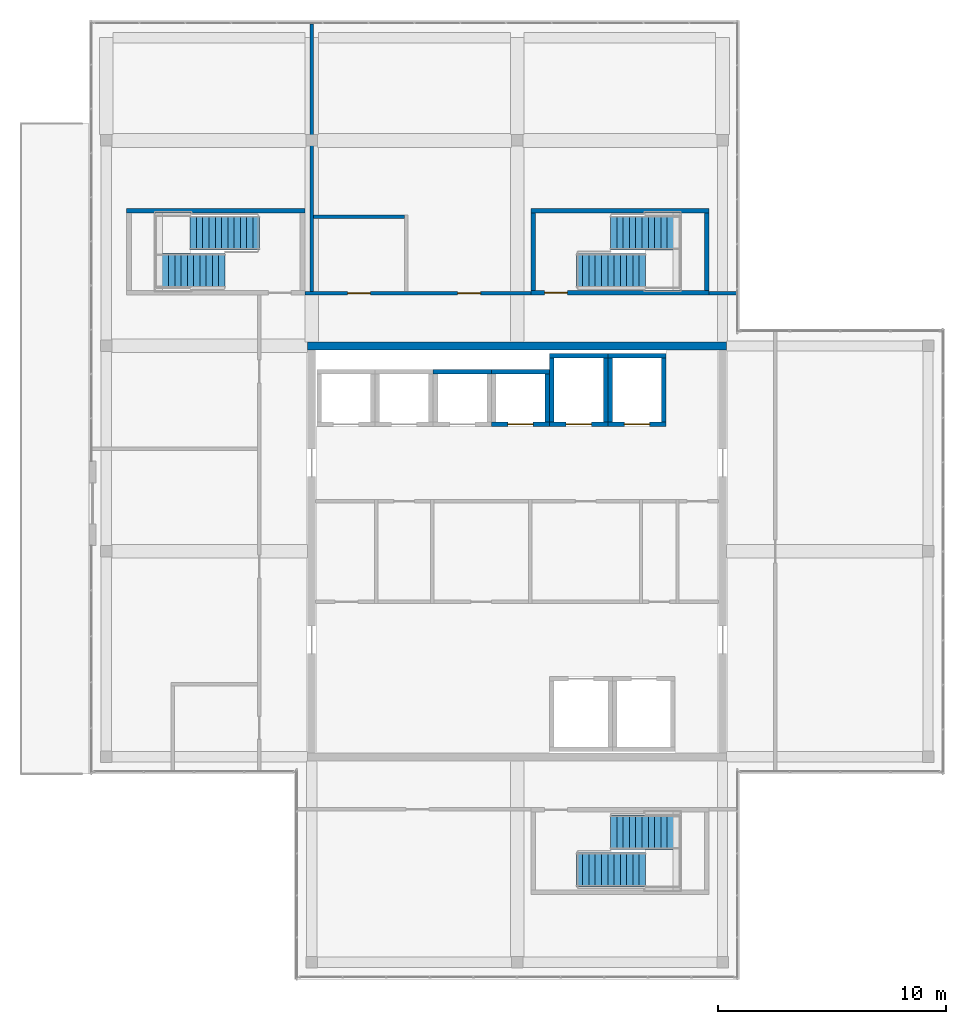
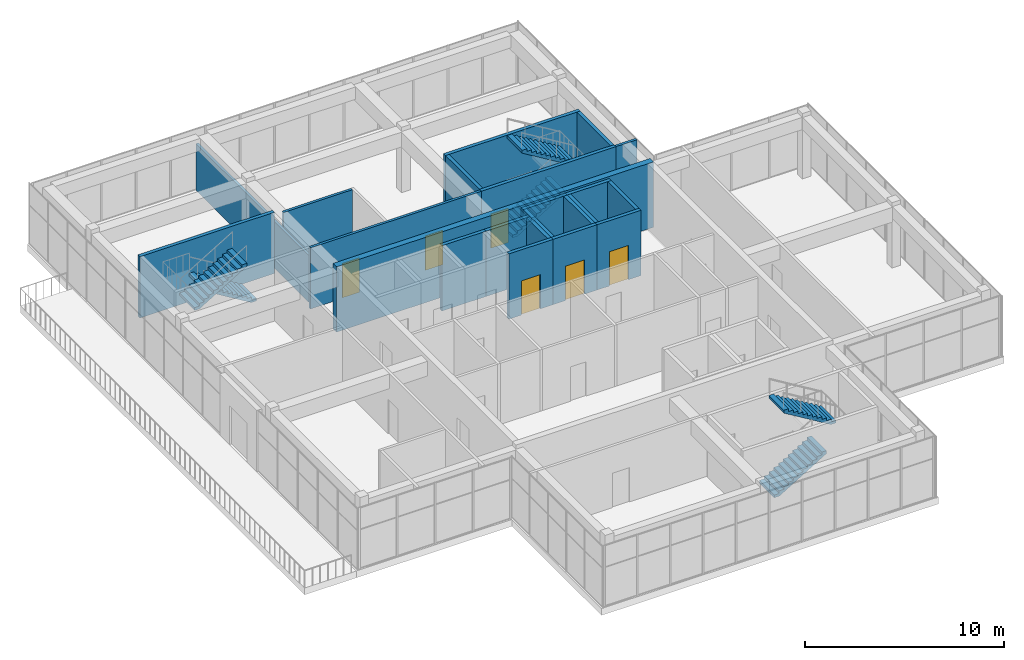
# One storey, part 32 of 34: 22 walls, 6 doors, 6 stair flights, 6 openings, 3 elements without a shape of their own.
"""IFC4 building model written with IfcOpenShell, lengths in metres."""

from ifc_helpers import new_model, si_unit, direction, frame, frame_2d, origin, place, context, subcontext, project, spatial, polyline, rectangle, outline, extrude, material, layer, layer_set, type_object, element, fill, aggregate, save


model = new_model("IFC4")

# Units and contexts
model_context = context("Model", 3, precision=1e-05, world=origin(), true_north=direction((0.0, 1.0)))
body_context = subcontext(model_context, "Body", "Model", "MODEL_VIEW")
ifc_project = project(units=[si_unit("LENGTHUNIT", "METRE"), si_unit("AREAUNIT", "SQUARE_METRE"), si_unit("VOLUMEUNIT", "CUBIC_METRE"), si_unit("PLANEANGLEUNIT", "RADIAN"), si_unit("MASSUNIT", "GRAM", prefix="KILO")], contexts=[model_context])

# Site, building, storey
site_placement = place(None, origin())
site = spatial("IfcSite", under=ifc_project, at=site_placement, CompositionType="ELEMENT")
building_placement = place(site_placement, origin())
building = spatial("IfcBuilding", under=site, at=building_placement, Name="Tuart Plaza Theatre", CompositionType="ELEMENT")
storey_placement = place(building_placement, frame((0.0, 0.0, 53.5)))
storey = spatial("IfcBuildingStorey", under=building, at=storey_placement, Name="L13", CompositionType="ELEMENT", Elevation=53.5)

# Wall, openings, doors
ifc_material_1 = material(Name="Masonry block", Category="masonry")
ifc_layer_1 = layer(ifc_material_1, 0.14990234375)
ifc_layer_set_1 = layer_set([ifc_layer_1], Name="PARTITION BLK150 MASONRYB FRL 120/-/-")
wall_type_1 = type_object("IfcWallType", Name="PARTITION BLK150 MASONRYB FRL 120/-/-", PredefinedType="PARTITIONING", material=ifc_layer_set_1)
wall_1_placement = place(storey_placement, frame((122.699951171875, 85.300048828125, 0.0), z_axis=(0.0, 0.0, 1.0), x_axis=(1.0, 0.0, 0.0)))
wall_1 = element("IfcWall", 1, at=wall_1_placement, inside=storey, type_object=wall_type_1, Name="P713", PredefinedType="PARTITIONING", context=body_context, shape_type="SweptSolid", body=[
    extrude(rectangle(XDim=9.900146484375, YDim=0.14990234375, at=frame_2d((4.9501953125, 0.0))), origin(), (0.0, 0.0, 1.0), 3.75),
])
opening_1_placement = place(wall_1_placement, frame((1.875, 0.0, 0.0)))
opening_1 = element("IfcOpeningElement", 2, at=opening_1_placement, cuts=wall_1, Name="Opening L13-024", PredefinedType="OPENING", context=body_context, shape_type="SweptSolid", body=[
    extrude(rectangle(XDim=1.0, YDim=2.10009765625, at=frame_2d((0.5, 1.050048828125))), frame((0.0, 0.0849609375, 0.0), z_axis=(0.0, -1.0, 0.0), x_axis=(1.0, 0.0, 0.0)), (0.0, 0.0, 1.0), 0.169921875),
])
opening_2_placement = place(wall_1_placement, frame((6.697509765625, 0.0, 0.0)))
opening_2 = element("IfcOpeningElement", 3, at=opening_2_placement, cuts=wall_1, Name="Opening L13-029", PredefinedType="OPENING", context=body_context, shape_type="SweptSolid", body=[
    extrude(rectangle(XDim=1.0, YDim=2.10009765625, at=frame_2d((0.5, 1.050048828125))), frame((0.0, 0.0849609375, 0.0), z_axis=(0.0, -1.0, 0.0), x_axis=(1.0, 0.0, 0.0)), (0.0, 0.0, 1.0), 0.169921875),
])
ifc_material_2 = material(Name="Timber", Category="wood")
door_type_1 = type_object("IfcDoorType", Name="DOOR 1000x2100 timber single swing FRL -/60/30", OperationType="SINGLE_SWING_LEFT", PredefinedType="DOOR", material=ifc_material_2)
door_1_placement = place(opening_1_placement, origin())
door_1 = element("IfcDoor", 4, at=door_1_placement, inside=storey, type_object=door_type_1, Name="L13-024", OperationType="SINGLE_SWING_LEFT", OverallHeight=2.10009765625, OverallWidth=1.0, PredefinedType="DOOR", context=body_context, shape_type="SweptSolid", body=[
    extrude(rectangle(XDim=1.0, YDim=2.10009765625, at=frame_2d((0.5, 1.050048828125))), frame((0.0, 0.02490234375, 0.0), z_axis=(0.0, -1.0, 0.0), x_axis=(1.0, 0.0, 0.0)), (0.0, 0.0, 1.0), 0.050048828125),
])
fill(opening_1, door_1)
door_2_placement = place(opening_2_placement, origin())
door_2 = element("IfcDoor", 5, at=door_2_placement, inside=storey, type_object=door_type_1, Name="L13-029", OperationType="SINGLE_SWING_LEFT", OverallHeight=2.10009765625, OverallWidth=1.0, PredefinedType="DOOR", context=body_context, shape_type="SweptSolid", body=[
    extrude(rectangle(XDim=1.0, YDim=2.10009765625, at=frame_2d((0.5, 1.050048828125))), frame((0.0, 0.02490234375, 0.0), z_axis=(0.0, -1.0, 0.0), x_axis=(1.0, 0.0, 0.0)), (0.0, 0.0, 1.0), 0.050048828125),
])
fill(opening_2, door_2)

# Walls
wall_2_placement = place(storey_placement, frame((140.39990234375, 85.300048828125, 0.0), z_axis=(0.0, 0.0, 1.0), x_axis=(1.0, 0.0, 0.0)))
element("IfcWall", 6, at=wall_2_placement, inside=storey, type_object=wall_type_1, Name="P714", PredefinedType="PARTITIONING", context=body_context, shape_type="SweptSolid", body=[
    extrude(rectangle(XDim=1.2001953125, YDim=0.14990234375, at=frame_2d((0.60009765625, 0.0))), origin(), (0.0, 0.0, 1.0), 3.75),
])
wall_3_placement = place(storey_placement, frame((123.0, 85.3740234375, 0.0), z_axis=(0.0, 0.0, 1.0), x_axis=(0.0, 1.0, 0.0)))
element("IfcWall", 7, at=wall_3_placement, inside=storey, type_object=wall_type_1, Name="P715", PredefinedType="PARTITIONING", context=body_context, shape_type="SweptSolid", body=[
    extrude(rectangle(XDim=11.72607421875, YDim=0.14990234375, at=frame_2d((5.863037109375, 0.0))), origin(), (0.0, 0.0, 1.0), 2.85009765625),
])
wall_4_placement = place(storey_placement, frame((123.074951171875, 88.64990234375, 0.0), z_axis=(0.0, 0.0, 1.0), x_axis=(1.0, 0.0, 0.0)))
element("IfcWall", 8, at=wall_4_placement, inside=storey, type_object=wall_type_1, Name="P719", PredefinedType="PARTITIONING", context=body_context, shape_type="SweptSolid", body=[
    extrude(rectangle(XDim=4.0, YDim=0.14990234375, at=frame_2d((2.0, 0.0))), origin(), (0.0, 0.0, 1.0), 3.75),
])
ifc_material_3 = material(Name="Concrete N40 (40 MPa)", Category="concrete")
ifc_layer_2 = layer(ifc_material_3, 0.199951171875)
ifc_layer_set_2 = layer_set([ifc_layer_2], Name="SHEAR WALL RC200 FRL 120/120/120")
wall_type_2 = type_object("IfcWallType", Name="SHEAR WALL RC200 FRL 120/120/120", PredefinedType="SHEAR", material=ifc_layer_set_2)
wall_5_placement = place(storey_placement, frame((130.875, 81.875, 0.0), z_axis=(0.0, 0.0, 1.0), x_axis=(-1.0, 0.0, 0.0)))
element("IfcWall", 9, at=wall_5_placement, inside=storey, type_object=wall_type_2, Name="W924", PredefinedType="SHEAR", context=body_context, shape_type="SweptSolid", body=[
    extrude(rectangle(XDim=2.550048828125, YDim=0.199951171875, at=frame_2d((1.27490234375, 0.0))), origin(), (0.0, 0.0, 1.0), 4.0),
])

# Wall, opening, door
wall_6_placement = place(storey_placement, frame((130.875, 79.574951171875, 0.0), z_axis=(0.0, 0.0, 1.0), x_axis=(1.0, 0.0, 0.0)))
wall_6 = element("IfcWall", 10, at=wall_6_placement, inside=storey, type_object=wall_type_2, Name="W994", PredefinedType="SHEAR", context=body_context, shape_type="SweptSolid", body=[
    extrude(rectangle(XDim=2.550048828125, YDim=0.199951171875, at=frame_2d((1.27490234375, 0.0))), origin(), (0.0, 0.0, 1.0), 4.0),
])
opening_3_placement = place(wall_6_placement, frame((0.72509765625, 0.0, 0.0)))
opening_3 = element("IfcOpeningElement", 11, at=opening_3_placement, cuts=wall_6, Name="Opening L13-005", PredefinedType="OPENING", context=body_context, shape_type="SweptSolid", body=[
    extrude(rectangle(XDim=1.10009765625, YDim=2.10009765625, at=frame_2d((0.550048828125, 1.050048828125))), frame((0.0, 0.10986328125, 0.0), z_axis=(0.0, -1.0, 0.0), x_axis=(1.0, 0.0, 0.0)), (0.0, 0.0, 1.0), 0.219970703125),
])
ifc_material_4 = material(Name="Steel Grade 300", Category="steel")
door_type_2 = type_object("IfcDoorType", Name="LANDING DOOR 1100x2100 steel sliding FRL -/120/30", OperationType="SLIDING_TO_LEFT", PredefinedType="DOOR", material=ifc_material_4)
door_3_placement = place(opening_3_placement, origin())
door_3 = element("IfcDoor", 12, at=door_3_placement, inside=storey, type_object=door_type_2, Name="L13-005", OperationType="SLIDING_TO_LEFT", OverallHeight=2.10009765625, OverallWidth=1.10009765625, PredefinedType="DOOR", context=body_context, shape_type="SweptSolid", body=[
    extrude(rectangle(XDim=1.10009765625, YDim=2.10009765625, at=frame_2d((0.550048828125, 1.050048828125))), frame((0.0, 0.02490234375, 0.0), z_axis=(0.0, -1.0, 0.0), x_axis=(1.0, 0.0, 0.0)), (0.0, 0.0, 1.0), 0.050048828125),
])
fill(opening_3, door_3)

# Walls
wall_7_placement = place(storey_placement, frame((133.324951171875, 79.675048828125, 0.0), z_axis=(0.0, 0.0, 1.0), x_axis=(0.0, 1.0, 0.0)))
element("IfcWall", 13, at=wall_7_placement, inside=storey, type_object=wall_type_2, Name="W995", PredefinedType="SHEAR", context=body_context, shape_type="SweptSolid", body=[
    extrude(rectangle(XDim=2.099853515625, YDim=0.199951171875, at=frame_2d((1.0498046875, 0.0))), origin(), (0.0, 0.0, 1.0), 4.0),
])
wall_8_placement = place(storey_placement, frame((133.425048828125, 81.875, 0.0), z_axis=(0.0, 0.0, 1.0), x_axis=(-1.0, 0.0, 0.0)))
element("IfcWall", 14, at=wall_8_placement, inside=storey, type_object=wall_type_2, Name="W996", PredefinedType="SHEAR", context=body_context, shape_type="SweptSolid", body=[
    extrude(rectangle(XDim=2.550048828125, YDim=0.199951171875, at=frame_2d((1.27490234375, 0.0))), origin(), (0.0, 0.0, 1.0), 4.0),
])

# Wall, opening, door
wall_9_placement = place(storey_placement, frame((133.425048828125, 79.574951171875, 0.0), z_axis=(0.0, 0.0, 1.0), x_axis=(1.0, 0.0, 0.0)))
wall_9 = element("IfcWall", 15, at=wall_9_placement, inside=storey, type_object=wall_type_2, Name="W1218", PredefinedType="SHEAR", context=body_context, shape_type="SweptSolid", body=[
    extrude(rectangle(XDim=2.550048828125, YDim=0.199951171875, at=frame_2d((1.27490234375, 0.0))), origin(), (0.0, 0.0, 1.0), 4.0),
])
opening_4_placement = place(wall_9_placement, frame((0.72509765625, 0.0, 0.0)))
opening_4 = element("IfcOpeningElement", 16, at=opening_4_placement, cuts=wall_9, Name="Opening L13-008", PredefinedType="OPENING", context=body_context, shape_type="SweptSolid", body=[
    extrude(rectangle(XDim=1.10009765625, YDim=2.10009765625, at=frame_2d((0.550048828125, 1.050048828125))), frame((0.0, 0.10986328125, 0.0), z_axis=(0.0, -1.0, 0.0), x_axis=(1.0, 0.0, 0.0)), (0.0, 0.0, 1.0), 0.219970703125),
])
door_4_placement = place(opening_4_placement, origin())
door_4 = element("IfcDoor", 17, at=door_4_placement, inside=storey, type_object=door_type_2, Name="L13-008", OperationType="SLIDING_TO_LEFT", OverallHeight=2.10009765625, OverallWidth=1.10009765625, PredefinedType="DOOR", context=body_context, shape_type="SweptSolid", body=[
    extrude(rectangle(XDim=1.10009765625, YDim=2.10009765625, at=frame_2d((0.550048828125, 1.050048828125))), frame((0.0, 0.02490234375, 0.0), z_axis=(0.0, -1.0, 0.0), x_axis=(1.0, 0.0, 0.0)), (0.0, 0.0, 1.0), 0.050048828125),
])
fill(opening_4, door_4)

# Walls
wall_10_placement = place(storey_placement, frame((135.875, 79.675048828125, 0.0), z_axis=(0.0, 0.0, 1.0), x_axis=(0.0, 1.0, 0.0)))
element("IfcWall", 18, at=wall_10_placement, inside=storey, type_object=wall_type_2, Name="W1219", PredefinedType="SHEAR", context=body_context, shape_type="SweptSolid", body=[
    extrude(rectangle(XDim=2.800048828125, YDim=0.199951171875, at=frame_2d((1.39990234375, 0.0))), origin(), (0.0, 0.0, 1.0), 4.0),
])
wall_11_placement = place(storey_placement, frame((135.97509765625, 82.574951171875, 0.0), z_axis=(0.0, 0.0, 1.0), x_axis=(-1.0, 0.0, 0.0)))
element("IfcWall", 19, at=wall_11_placement, inside=storey, type_object=wall_type_2, Name="W1220", PredefinedType="SHEAR", context=body_context, shape_type="SweptSolid", body=[
    extrude(rectangle(XDim=2.550048828125, YDim=0.199951171875, at=frame_2d((1.27490234375, 0.0))), origin(), (0.0, 0.0, 1.0), 4.0),
])
wall_12_placement = place(storey_placement, frame((133.52490234375, 82.47509765625, 0.0), z_axis=(0.0, 0.0, 1.0), x_axis=(0.0, -1.0, 0.0)))
element("IfcWall", 20, at=wall_12_placement, inside=storey, type_object=wall_type_2, Name="W1221", PredefinedType="SHEAR", context=body_context, shape_type="SweptSolid", body=[
    extrude(rectangle(XDim=2.800048828125, YDim=0.199951171875, at=frame_2d((1.39990234375, 0.0))), origin(), (0.0, 0.0, 1.0), 4.0),
])

# Wall, opening, door
wall_13_placement = place(storey_placement, frame((135.97509765625, 79.574951171875, 0.0), z_axis=(0.0, 0.0, 1.0), x_axis=(1.0, 0.0, 0.0)))
wall_13 = element("IfcWall", 21, at=wall_13_placement, inside=storey, type_object=wall_type_2, Name="W1294", PredefinedType="SHEAR", context=body_context, shape_type="SweptSolid", body=[
    extrude(rectangle(XDim=2.5498046875, YDim=0.199951171875, at=frame_2d((1.27490234375, 0.0))), origin(), (0.0, 0.0, 1.0), 4.0),
])
opening_5_placement = place(wall_13_placement, frame((0.72509765625, 0.0, 0.0)))
opening_5 = element("IfcOpeningElement", 22, at=opening_5_placement, cuts=wall_13, Name="Opening L13-009", PredefinedType="OPENING", context=body_context, shape_type="SweptSolid", body=[
    extrude(rectangle(XDim=1.10009765625, YDim=2.10009765625, at=frame_2d((0.550048828125, 1.050048828125))), frame((0.0, 0.10986328125, 0.0), z_axis=(0.0, -1.0, 0.0), x_axis=(1.0, 0.0, 0.0)), (0.0, 0.0, 1.0), 0.219970703125),
])
door_5_placement = place(opening_5_placement, origin())
door_5 = element("IfcDoor", 23, at=door_5_placement, inside=storey, type_object=door_type_2, Name="L13-009", OperationType="SLIDING_TO_LEFT", OverallHeight=2.10009765625, OverallWidth=1.10009765625, PredefinedType="DOOR", context=body_context, shape_type="SweptSolid", body=[
    extrude(rectangle(XDim=1.10009765625, YDim=2.10009765625, at=frame_2d((0.550048828125, 1.050048828125))), frame((0.0, 0.02490234375, 0.0), z_axis=(0.0, -1.0, 0.0), x_axis=(1.0, 0.0, 0.0)), (0.0, 0.0, 1.0), 0.050048828125),
])
fill(opening_5, door_5)

# Walls
wall_14_placement = place(storey_placement, frame((138.425048828125, 79.675048828125, 0.0), z_axis=(0.0, 0.0, 1.0), x_axis=(0.0, 1.0, 0.0)))
element("IfcWall", 24, at=wall_14_placement, inside=storey, type_object=wall_type_2, Name="W1295", PredefinedType="SHEAR", context=body_context, shape_type="SweptSolid", body=[
    extrude(rectangle(XDim=2.800048828125, YDim=0.199951171875, at=frame_2d((1.39990234375, 0.0))), origin(), (0.0, 0.0, 1.0), 4.0),
])
wall_15_placement = place(storey_placement, frame((138.52490234375, 82.574951171875, 0.0), z_axis=(0.0, 0.0, 1.0), x_axis=(-1.0, 0.0, 0.0)))
element("IfcWall", 25, at=wall_15_placement, inside=storey, type_object=wall_type_2, Name="W1296", PredefinedType="SHEAR", context=body_context, shape_type="SweptSolid", body=[
    extrude(rectangle(XDim=2.5498046875, YDim=0.199951171875, at=frame_2d((1.27490234375, 0.0))), origin(), (0.0, 0.0, 1.0), 4.0),
])
wall_16_placement = place(storey_placement, frame((136.074951171875, 82.47509765625, 0.0), z_axis=(0.0, 0.0, 1.0), x_axis=(0.0, -1.0, 0.0)))
element("IfcWall", 26, at=wall_16_placement, inside=storey, type_object=wall_type_2, Name="W1297", PredefinedType="SHEAR", context=body_context, shape_type="SweptSolid", body=[
    extrude(rectangle(XDim=2.800048828125, YDim=0.199951171875, at=frame_2d((1.39990234375, 0.0))), origin(), (0.0, 0.0, 1.0), 4.0),
])

# Wall, opening, door
wall_17_placement = place(storey_placement, frame((132.60009765625, 85.324951171875, 0.0), z_axis=(0.0, 0.0, 1.0), x_axis=(1.0, 0.0, 0.0)))
wall_17 = element("IfcWall", 27, at=wall_17_placement, inside=storey, type_object=wall_type_2, Name="P440", PredefinedType="SHEAR", context=body_context, shape_type="SweptSolid", body=[
    extrude(rectangle(XDim=7.7998046875, YDim=0.199951171875, at=frame_2d((3.89990234375, 0.0))), origin(), (0.0, 0.0, 1.0), 3.75),
])
opening_6_placement = place(wall_17_placement, frame((0.60009765625, 0.0, 0.0)))
opening_6 = element("IfcOpeningElement", 28, at=opening_6_placement, cuts=wall_17, Name="Opening L13-011", PredefinedType="OPENING", context=body_context, shape_type="SweptSolid", body=[
    extrude(rectangle(XDim=1.0, YDim=2.10009765625, at=frame_2d((0.5, 1.050048828125))), frame((0.0, 0.10986328125, 0.0), z_axis=(0.0, -1.0, 0.0), x_axis=(1.0, 0.0, 0.0)), (0.0, 0.0, 1.0), 0.219970703125),
])
ifc_material_5 = material(Name="Steel Grade 300", Category="steel")
door_type_3 = type_object("IfcDoorType", Name="DOOR 1000x2100 steel single swing FRL -/120/30", OperationType="SINGLE_SWING_LEFT", PredefinedType="DOOR", material=ifc_material_5)
door_6_placement = place(opening_6_placement, origin())
door_6 = element("IfcDoor", 29, at=door_6_placement, inside=storey, type_object=door_type_3, Name="L13-011", OperationType="SINGLE_SWING_RIGHT", OverallHeight=2.10009765625, OverallWidth=1.0, PredefinedType="DOOR", context=body_context, shape_type="SweptSolid", body=[
    extrude(rectangle(XDim=1.0, YDim=2.10009765625, at=frame_2d((0.5, 1.050048828125))), frame((0.0, 0.02490234375, 0.0), z_axis=(0.0, -1.0, 0.0), x_axis=(1.0, 0.0, 0.0)), (0.0, 0.0, 1.0), 0.050048828125),
])
fill(opening_6, door_6)

# Walls
wall_18_placement = place(storey_placement, frame((140.300048828125, 85.425048828125, 0.0), z_axis=(0.0, 0.0, 1.0), x_axis=(0.0, 1.0, 0.0)))
element("IfcWall", 30, at=wall_18_placement, inside=storey, type_object=wall_type_2, Name="P441", PredefinedType="SHEAR", context=body_context, shape_type="SweptSolid", body=[
    extrude(rectangle(XDim=3.39990234375, YDim=0.199951171875, at=frame_2d((1.699951171875, 0.0))), origin(), (0.0, 0.0, 1.0), 3.75),
])
wall_19_placement = place(storey_placement, frame((140.39990234375, 88.925048828125, 0.0), z_axis=(0.0, 0.0, 1.0), x_axis=(-1.0, 0.0, 0.0)))
element("IfcWall", 31, at=wall_19_placement, inside=storey, type_object=wall_type_2, Name="P442", PredefinedType="SHEAR", context=body_context, shape_type="SweptSolid", body=[
    extrude(rectangle(XDim=7.7998046875, YDim=0.199951171875, at=frame_2d((3.89990234375, 0.0))), origin(), (0.0, 0.0, 1.0), 3.75),
])
wall_20_placement = place(storey_placement, frame((132.699951171875, 88.824951171875, 0.0), z_axis=(0.0, 0.0, 1.0), x_axis=(0.0, -1.0, 0.0)))
element("IfcWall", 32, at=wall_20_placement, inside=storey, type_object=wall_type_2, Name="P443", PredefinedType="SHEAR", context=body_context, shape_type="SweptSolid", body=[
    extrude(rectangle(XDim=3.39990234375, YDim=0.199951171875, at=frame_2d((1.699951171875, 0.0))), origin(), (0.0, 0.0, 1.0), 3.75),
])
wall_21_placement = place(storey_placement, frame((122.699951171875, 88.925048828125, 0.0), z_axis=(0.0, 0.0, 1.0), x_axis=(-1.0, 0.0, 0.0)))
element("IfcWall", 33, at=wall_21_placement, inside=storey, type_object=wall_type_2, Name="P470", PredefinedType="SHEAR", context=body_context, shape_type="SweptSolid", body=[
    extrude(rectangle(XDim=7.800048828125, YDim=0.199951171875, at=frame_2d((3.89990234375, 0.0))), origin(), (0.0, 0.0, 1.0), 3.75),
])
ifc_material_6 = material(Name="Concrete N40 (40 MPa)", Category="concrete")
ifc_layer_3 = layer(ifc_material_6, 0.35009765625)
ifc_layer_set_3 = layer_set([ifc_layer_3], Name="SHEAR WALL RC350 FRL 120/120/120")
wall_type_3 = type_object("IfcWallType", Name="SHEAR WALL RC350 FRL 120/120/120", PredefinedType="SHEAR", material=ifc_layer_set_3)
wall_22_placement = place(storey_placement, frame((141.175048828125, 83.0, 0.0), z_axis=(0.0, 0.0, 1.0), x_axis=(-1.0, 0.0, 0.0)))
element("IfcWall", 34, at=wall_22_placement, inside=storey, type_object=wall_type_3, Name="W429", PredefinedType="SHEAR", context=body_context, shape_type="SweptSolid", body=[
    extrude(rectangle(XDim=18.35009765625, YDim=0.35009765625, at=frame_2d((9.175048828125, 0.0))), origin(), (0.0, 0.0, 1.0), 4.0),
])

# Stair, stair flights
ifc_material_7 = material(Name="Concrete N40 (40 MPa)", Category="concrete")
stair_type = type_object("IfcStairType", Name="STAIR half turn 1500", PredefinedType="HALF_TURN_STAIR", material=ifc_material_7)
stair_1_placement = place(storey_placement, origin())
stair_1 = element("IfcStair", 35, at=stair_1_placement, inside=storey, type_object=stair_type, Name="SC-6", PredefinedType="HALF_TURN_STAIR")
ifc_material_8 = material(Name="Concrete N40 (40 MPa)", Category="concrete")
stair_flight_type = type_object("IfcStairFlightType", Name="STAIR FLIGHT 166.7 275 1500", PredefinedType="STRAIGHT", material=ifc_material_8)
stair_flight_1_placement = place(storey_placement, frame((134.594970703125, 60.050048828125, 0.0), z_axis=(0.0, 0.0, 1.0), x_axis=(1.0, 0.0, 0.0)))
stair_flight_1 = element("IfcStairFlight", 36, at=stair_flight_1_placement, type_object=stair_flight_type, Name="SC-6 flight 1", NumberOfRisers=12, NumberOfTreads=11, PredefinedType="STRAIGHT", RiserHeight=0.166666667, TreadLength=0.275, context=body_context, shape_type="SweptSolid", body=[
    extrude(outline(polyline([(0.0, 0.0), (0.0, 0.166748046875), (0.27490234375, 0.166748046875), (0.27490234375, 0.333251953125), (0.550048828125, 0.333251953125), (0.550048828125, 0.5), (0.824951171875, 0.5), (0.824951171875, 0.666748046875), (1.10009765625, 0.666748046875), (1.10009765625, 0.833251953125), (1.375, 0.833251953125), (1.375, 1.0), (1.64990234375, 1.0), (1.64990234375, 1.166748046875), (1.925048828125, 1.166748046875), (1.925048828125, 1.333251953125), (2.199951171875, 1.333251953125), (2.199951171875, 1.5), (2.47509765625, 1.5), (2.47509765625, 1.666748046875), (2.75, 1.666748046875), (2.75, 1.833251953125), (3.02490234375, 1.833251953125), (3.02490234375, 2.0), (3.02490234375, 1.657958984375), (0.289306640625, 0.0), (0.0, 0.0)])), frame((0.0, 0.75, 0.0), z_axis=(0.0, -1.0, 0.0), x_axis=(1.0, 0.0, 0.0)), (0.0, 0.0, 1.0), 1.5),
])
stair_flight_2_placement = place(storey_placement, frame((139.1201171875, 61.699951171875, 2.0), z_axis=(0.0, 0.0, 1.0), x_axis=(-1.0, 0.0, 0.0)))
stair_flight_2 = element("IfcStairFlight", 37, at=stair_flight_2_placement, type_object=stair_flight_type, Name="SC-6 flight 2", NumberOfRisers=12, NumberOfTreads=11, PredefinedType="STRAIGHT", RiserHeight=0.166666667, TreadLength=0.275, context=body_context, shape_type="SweptSolid", body=[
    extrude(outline(polyline([(0.0, 0.0), (0.0, 0.166748046875), (0.27490234375, 0.166748046875), (0.27490234375, 0.333251953125), (0.550048828125, 0.333251953125), (0.550048828125, 0.5), (0.824951171875, 0.5), (0.824951171875, 0.666748046875), (1.10009765625, 0.666748046875), (1.10009765625, 0.833251953125), (1.375, 0.833251953125), (1.375, 1.0), (1.64990234375, 1.0), (1.64990234375, 1.166748046875), (1.925048828125, 1.166748046875), (1.925048828125, 1.333251953125), (2.199951171875, 1.333251953125), (2.199951171875, 1.5), (2.47509765625, 1.5), (2.47509765625, 1.666748046875), (2.75, 1.666748046875), (2.75, 1.833251953125), (3.02490234375, 1.833251953125), (3.02490234375, 2.0), (3.02490234375, 1.657958984375), (0.289306640625, 0.0), (0.0, 0.0)])), frame((0.0, 0.75, 0.0), z_axis=(0.0, -1.0, 0.0), x_axis=(1.0, 0.0, 0.0)), (0.0, 0.0, 1.0), 1.5),
])
aggregate(stair_1, [stair_flight_1, stair_flight_2])

stair_2_placement = place(storey_placement, origin())
stair_2 = element("IfcStair", 38, at=stair_2_placement, inside=storey, type_object=stair_type, Name="SC-12", PredefinedType="HALF_TURN_STAIR")
stair_flight_3_placement = place(storey_placement, frame((134.594970703125, 86.300048828125, 0.0), z_axis=(0.0, 0.0, 1.0), x_axis=(1.0, 0.0, 0.0)))
stair_flight_3 = element("IfcStairFlight", 39, at=stair_flight_3_placement, type_object=stair_flight_type, Name="SC-12 flight 1", NumberOfRisers=12, NumberOfTreads=11, PredefinedType="STRAIGHT", RiserHeight=0.166666667, TreadLength=0.275, context=body_context, shape_type="SweptSolid", body=[
    extrude(outline(polyline([(0.0, 0.0), (0.0, 0.166748046875), (0.27490234375, 0.166748046875), (0.27490234375, 0.333251953125), (0.550048828125, 0.333251953125), (0.550048828125, 0.5), (0.824951171875, 0.5), (0.824951171875, 0.666748046875), (1.10009765625, 0.666748046875), (1.10009765625, 0.833251953125), (1.375, 0.833251953125), (1.375, 1.0), (1.64990234375, 1.0), (1.64990234375, 1.166748046875), (1.925048828125, 1.166748046875), (1.925048828125, 1.333251953125), (2.199951171875, 1.333251953125), (2.199951171875, 1.5), (2.47509765625, 1.5), (2.47509765625, 1.666748046875), (2.75, 1.666748046875), (2.75, 1.833251953125), (3.02490234375, 1.833251953125), (3.02490234375, 2.0), (3.02490234375, 1.657958984375), (0.289306640625, 0.0), (0.0, 0.0)])), frame((0.0, 0.75, 0.0), z_axis=(0.0, -1.0, 0.0), x_axis=(1.0, 0.0, 0.0)), (0.0, 0.0, 1.0), 1.5),
])
stair_flight_4_placement = place(storey_placement, frame((139.1201171875, 87.949951171875, 2.0), z_axis=(0.0, 0.0, 1.0), x_axis=(-1.0, 0.0, 0.0)))
stair_flight_4 = element("IfcStairFlight", 40, at=stair_flight_4_placement, type_object=stair_flight_type, Name="SC-12 flight 2", NumberOfRisers=12, NumberOfTreads=11, PredefinedType="STRAIGHT", RiserHeight=0.166666667, TreadLength=0.275, context=body_context, shape_type="SweptSolid", body=[
    extrude(outline(polyline([(0.0, 0.0), (0.0, 0.166748046875), (0.27490234375, 0.166748046875), (0.27490234375, 0.333251953125), (0.550048828125, 0.333251953125), (0.550048828125, 0.5), (0.824951171875, 0.5), (0.824951171875, 0.666748046875), (1.10009765625, 0.666748046875), (1.10009765625, 0.833251953125), (1.375, 0.833251953125), (1.375, 1.0), (1.64990234375, 1.0), (1.64990234375, 1.166748046875), (1.925048828125, 1.166748046875), (1.925048828125, 1.333251953125), (2.199951171875, 1.333251953125), (2.199951171875, 1.5), (2.47509765625, 1.5), (2.47509765625, 1.666748046875), (2.75, 1.666748046875), (2.75, 1.833251953125), (3.02490234375, 1.833251953125), (3.02490234375, 2.0), (3.02490234375, 1.657958984375), (0.289306640625, 0.0), (0.0, 0.0)])), frame((0.0, 0.75, 0.0), z_axis=(0.0, -1.0, 0.0), x_axis=(1.0, 0.0, 0.0)), (0.0, 0.0, 1.0), 1.5),
])
aggregate(stair_2, [stair_flight_3, stair_flight_4])

stair_3_placement = place(storey_placement, origin())
stair_3 = element("IfcStair", 41, at=stair_3_placement, inside=storey, type_object=stair_type, Name="SC-18", PredefinedType="HALF_TURN_STAIR")
stair_flight_5_placement = place(storey_placement, frame((120.705078125, 87.949951171875, 0.0), z_axis=(0.0, 0.0, 1.0), x_axis=(-1.0, 0.0, 0.0)))
stair_flight_5 = element("IfcStairFlight", 42, at=stair_flight_5_placement, type_object=stair_flight_type, Name="SC-18 flight 1", NumberOfRisers=12, NumberOfTreads=11, PredefinedType="STRAIGHT", RiserHeight=0.166666667, TreadLength=0.275, context=body_context, shape_type="SweptSolid", body=[
    extrude(outline(polyline([(0.0, 0.0), (0.0, 0.166748046875), (0.27490234375, 0.166748046875), (0.27490234375, 0.333251953125), (0.550048828125, 0.333251953125), (0.550048828125, 0.5), (0.824951171875, 0.5), (0.824951171875, 0.666748046875), (1.10009765625, 0.666748046875), (1.10009765625, 0.833251953125), (1.375, 0.833251953125), (1.375, 1.0), (1.64990234375, 1.0), (1.64990234375, 1.166748046875), (1.925048828125, 1.166748046875), (1.925048828125, 1.333251953125), (2.199951171875, 1.333251953125), (2.199951171875, 1.5), (2.47509765625, 1.5), (2.47509765625, 1.666748046875), (2.75, 1.666748046875), (2.75, 1.833251953125), (3.02490234375, 1.833251953125), (3.02490234375, 2.0), (3.02490234375, 1.657958984375), (0.289306640625, 0.0), (0.0, 0.0)])), frame((0.0, 0.75, 0.0), z_axis=(0.0, -1.0, 0.0), x_axis=(1.0, 0.0, 0.0)), (0.0, 0.0, 1.0), 1.5),
])
stair_flight_6_placement = place(storey_placement, frame((116.179931640625, 86.300048828125, 2.0), z_axis=(0.0, 0.0, 1.0), x_axis=(1.0, 0.0, 0.0)))
stair_flight_6 = element("IfcStairFlight", 43, at=stair_flight_6_placement, type_object=stair_flight_type, Name="SC-18 flight 2", NumberOfRisers=12, NumberOfTreads=11, PredefinedType="STRAIGHT", RiserHeight=0.166666667, TreadLength=0.275, context=body_context, shape_type="SweptSolid", body=[
    extrude(outline(polyline([(0.0, 0.0), (0.0, 0.166748046875), (0.27490234375, 0.166748046875), (0.27490234375, 0.333251953125), (0.550048828125, 0.333251953125), (0.550048828125, 0.5), (0.824951171875, 0.5), (0.824951171875, 0.666748046875), (1.10009765625, 0.666748046875), (1.10009765625, 0.833251953125), (1.375, 0.833251953125), (1.375, 1.0), (1.64990234375, 1.0), (1.64990234375, 1.166748046875), (1.925048828125, 1.166748046875), (1.925048828125, 1.333251953125), (2.199951171875, 1.333251953125), (2.199951171875, 1.5), (2.47509765625, 1.5), (2.47509765625, 1.666748046875), (2.75, 1.666748046875), (2.75, 1.833251953125), (3.02490234375, 1.833251953125), (3.02490234375, 2.0), (3.02490234375, 1.657958984375), (0.289306640625, 0.0), (0.0, 0.0)])), frame((0.0, 0.75, 0.0), z_axis=(0.0, -1.0, 0.0), x_axis=(1.0, 0.0, 0.0)), (0.0, 0.0, 1.0), 1.5),
])
aggregate(stair_3, [stair_flight_5, stair_flight_6])

save(model, "model.ifc")
